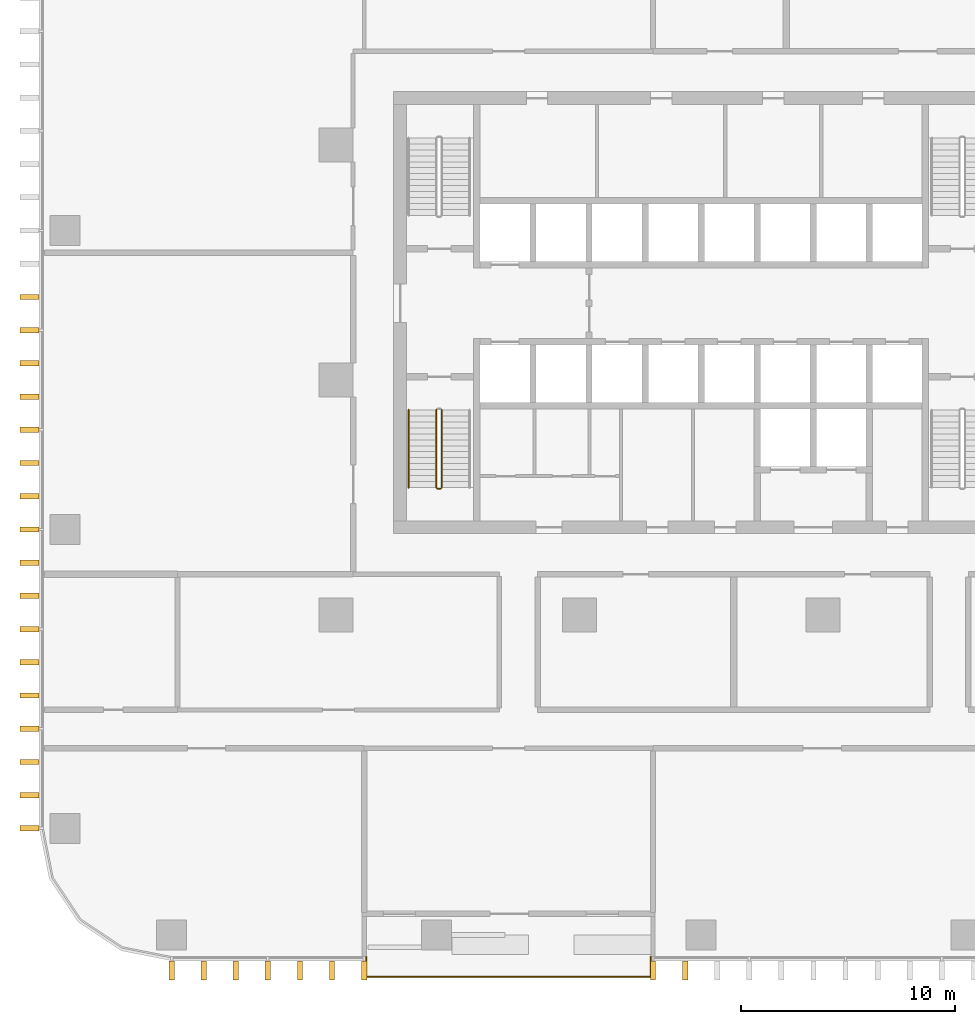
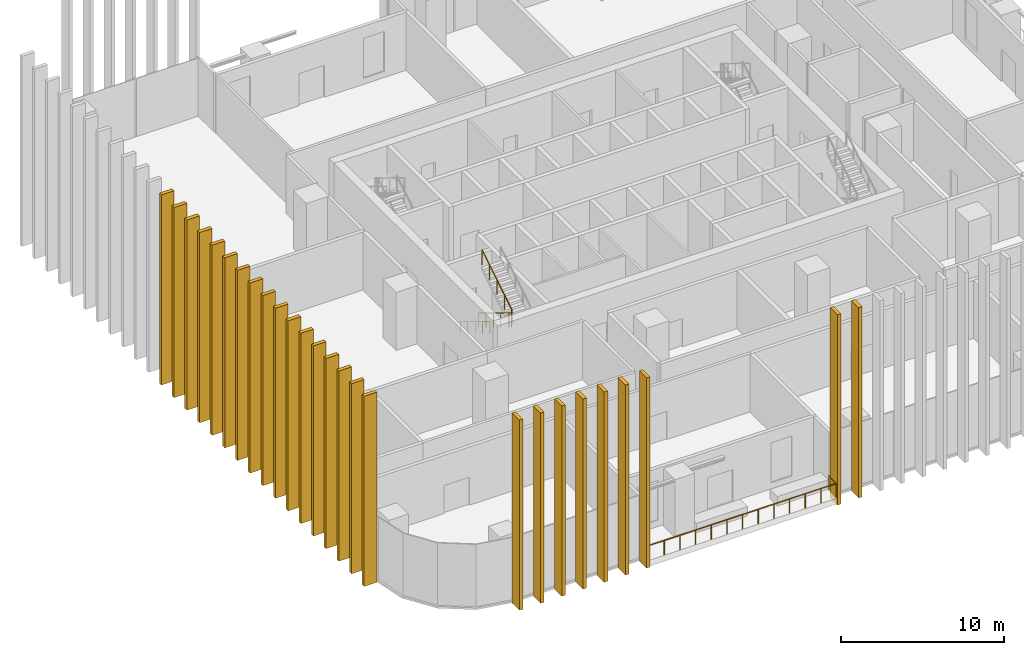
# One storey, part 12 of 17: 26 shading devices, 4 railings.
"""IFC4 building model written with IfcOpenShell, lengths in metres."""

import ifcopenshell
import ifcopenshell.guid

model = None  # the IFC model being written
_history = None  # IfcOwnerHistory: only IFC2X3 demands one
_inside = {}  # id of a spatial element -> (the spatial element, [elements in it])
_under = {}  # id of a project, library or spatial element -> (it, [spatial elements below it])
_declared = {}  # id of a project -> (the project, [libraries it declares])
_typed = {}  # id of a type object -> (the type object, [elements of that type])
_made_of = {}  # id of a material, layer set ... -> (it, [elements and type objects made of it])


def new_model(schema):
    """Start an empty IFC model of exactly this schema.

    Asked for "IFC4X3", IfcOpenShell would pick the latest addendum, in which some entities
    have other attributes; the version numbers below select the first issue.
    IFC2X3 requires an IfcOwnerHistory on every rooted entity: one is made here for all.
    """
    global model, _history
    if schema == "IFC4X3":
        model = ifcopenshell.file(schema_version=(4, 3, 0, 0))
    else:
        model = ifcopenshell.file(schema=schema)
    _inside.clear()
    _under.clear()
    _declared.clear()
    _typed.clear()
    _made_of.clear()
    _history = None
    if model.schema == "IFC2X3":
        org = make("IfcOrganization", Name="unknown")
        user = make(
            "IfcPersonAndOrganization",
            ThePerson=make("IfcPerson", FamilyName="unknown"),
            TheOrganization=org,
        )
        app = make(
            "IfcApplication",
            ApplicationDeveloper=org,
            Version="unknown",
            ApplicationFullName="unknown",
            ApplicationIdentifier="unknown",
        )
        _history = make(
            "IfcOwnerHistory",
            OwningUser=user,
            OwningApplication=app,
            ChangeAction="ADDED",
            CreationDate=0,
        )
    return model


def make(cls, **values):
    """One entity of the class cls with the attributes given. An attribute that is None is left unset."""
    return model.create_entity(
        cls, **{name: value for name, value in values.items() if value is not None}
    )


def rooted(cls, **values):
    """An entity with a GlobalId (a new one), such as an element, a storey or a relation."""
    return make(cls, GlobalId=ifcopenshell.guid.new(), OwnerHistory=_history, **values)


def si_unit(unit_type, name, prefix=None):
    """IfcSIUnit, for example si_unit("LENGTHUNIT", "METRE", prefix="MILLI")."""
    return make("IfcSIUnit", UnitType=unit_type, Prefix=prefix, Name=name)


def assignment(units):
    """IfcUnitAssignment: the units of a project."""
    return None if units is None else make("IfcUnitAssignment", Units=units)


def point(xyz):
    """IfcCartesianPoint."""
    return None if xyz is None else make("IfcCartesianPoint", Coordinates=xyz)


def direction(xyz):
    """IfcDirection."""
    return None if xyz is None else make("IfcDirection", DirectionRatios=xyz)


def frame(location, z_axis=None, x_axis=None):
    """IfcAxis2Placement3D, a coordinate frame: its origin and axes. An axis left out is left unset."""
    return make(
        "IfcAxis2Placement3D",
        Location=point(location),
        Axis=direction(z_axis),
        RefDirection=direction(x_axis),
    )


def frame_2d(location, x_axis=None):
    """IfcAxis2Placement2D, a coordinate frame in the plane: its origin and x axis."""
    return make(
        "IfcAxis2Placement2D", Location=point(location), RefDirection=direction(x_axis)
    )


def origin():
    """The frame at (0, 0, 0) with its axes left unset."""
    return frame((0.0, 0.0, 0.0))


def origin_2d():
    """The frame at (0, 0) in the plane with its x axis left unset."""
    return frame_2d((0.0, 0.0))


def place(relative_to, where):
    """IfcLocalPlacement: puts the frame where relative to a parent placement (None: the world)."""
    return make(
        "IfcLocalPlacement", PlacementRelTo=relative_to, RelativePlacement=where
    )


def context(
    kind, dimensions, precision=None, world=None, true_north=None, identifier=None
):
    """IfcGeometricRepresentationContext, for example the 3D "Model" context."""
    return make(
        "IfcGeometricRepresentationContext",
        ContextIdentifier=identifier,
        ContextType=kind,
        CoordinateSpaceDimension=dimensions,
        Precision=precision,
        WorldCoordinateSystem=world,
        TrueNorth=true_north,
    )


def subcontext(parent, identifier, kind, view, scale=None):
    """IfcGeometricRepresentationSubContext, for example "Body" below "Model"."""
    return make(
        "IfcGeometricRepresentationSubContext",
        ContextIdentifier=identifier,
        ContextType=kind,
        ParentContext=parent,
        TargetScale=scale,
        TargetView=view,
    )


def project(units=None, contexts=None):
    """IfcProject with its units and contexts."""
    return rooted(
        "IfcProject",
        Name="project",
        RepresentationContexts=contexts,
        UnitsInContext=assignment(units),
    )


def spatial(cls, under=None, at=None, **own):
    """A site, building, storey or space (cls), placed at a placement, below another one or the project."""
    s = rooted(cls, ObjectPlacement=at, **own)
    if under is not None:
        _under.setdefault(under.id(), (under, []))[1].append(s)
    return s


def profile(cls, at=None, kind="AREA", **sizes):
    """A parametric profile (cls). Its sizes go by their IFC names, for example OverallWidth=200.0."""
    return make(cls, ProfileType=kind, Position=at, **sizes)


def rectangle(**sizes):
    """IfcRectangleProfileDef."""
    return profile("IfcRectangleProfileDef", **sizes)


def circle(**sizes):
    """IfcCircleProfileDef."""
    return profile("IfcCircleProfileDef", **sizes)


def extrude(swept, where, along, depth):
    """IfcExtrudedAreaSolid: the profile swept, set in the frame where, extruded along a direction by depth."""
    return make(
        "IfcExtrudedAreaSolid",
        SweptArea=swept,
        Position=where,
        ExtrudedDirection=direction(along),
        Depth=depth,
    )


def shape(context_of_items, identifier, shape_type, items):
    """IfcShapeRepresentation: the items that make up one representation, for example the "Body"."""
    return make(
        "IfcShapeRepresentation",
        ContextOfItems=context_of_items,
        RepresentationIdentifier=identifier,
        RepresentationType=shape_type,
        Items=items,
    )


def material(Name=None, Category=None):
    """IfcMaterial."""
    return make("IfcMaterial", Name=Name, Category=Category)


def made_of(thing, what):
    """Note that an element or type object is made of a material, layer set ...; save() writes the relation."""
    if what is not None:
        _made_of.setdefault(what.id(), (what, []))[1].append(thing)
    return thing


def type_object(cls, material=None, **own):
    """A type object (cls), such as IfcWallType, which elements share."""
    return made_of(rooted(cls, **own), material)


def element(
    cls,
    number,
    at=None,
    inside=None,
    cuts=None,
    type_object=None,
    material=None,
    context=None,
    identifier="Body",
    shape_type=None,
    held_by="IfcProductDefinitionShape",
    body=None,
    shapes=None,
    **own,
):
    """One element of the class cls, such as IfcWall. Its Tag is "e" and its number.

    at: its placement. inside: the storey or other place that contains it. cuts: it is an
    opening in that element (IfcRelVoidsElement). A single representation is given by context,
    identifier, shape_type and body (its items); several are given by shapes. held_by: the class
    of the entity that holds the representations. save() writes the other relations.
    """
    e = rooted(cls, Tag="e%d" % number, ObjectPlacement=at, **own)
    if body is not None:
        shapes = [shape(context, identifier, shape_type, body)]
    if shapes is not None:
        e.Representation = make(held_by, Representations=shapes)
    if inside is not None:
        _inside.setdefault(inside.id(), (inside, []))[1].append(e)
    if cuts is not None:
        rooted(
            "IfcRelVoidsElement", RelatingBuildingElement=cuts, RelatedOpeningElement=e
        )
    if type_object is not None:
        _typed.setdefault(type_object.id(), (type_object, []))[1].append(e)
    return made_of(e, material)


def aggregate(whole, parts):
    """IfcRelAggregates: a whole, such as a stair, and the parts it consists of."""
    return rooted("IfcRelAggregates", RelatingObject=whole, RelatedObjects=parts)


def save(model, path):
    """Write the relations noted so far, then the file.

    IfcRelAggregates (storeys below a building ...), IfcRelContainedInSpatialStructure (elements
    in a storey), IfcRelDefinesByType, IfcRelAssociatesMaterial and IfcRelDeclares: one each for
    every whole, place, type object, material and project.
    """
    for whole, parts in _under.values():
        aggregate(whole, parts)
    for where, things in _inside.values():
        rooted(
            "IfcRelContainedInSpatialStructure",
            RelatedElements=things,
            RelatingStructure=where,
        )
    for kind, things in _typed.values():
        rooted("IfcRelDefinesByType", RelatedObjects=things, RelatingType=kind)
    for what, things in _made_of.values():
        rooted("IfcRelAssociatesMaterial", RelatedObjects=things, RelatingMaterial=what)
    for by, libraries in _declared.values():
        rooted("IfcRelDeclares", RelatingContext=by, RelatedDefinitions=libraries)
    model.write(path)


model = new_model("IFC4")

# Units and contexts
model_context = context("Model", 3, precision=1e-05, world=origin(), true_north=direction((0.0, 1.0)))
body_context = subcontext(model_context, "Body", "Model", "MODEL_VIEW")
ifc_project = project(units=[si_unit("LENGTHUNIT", "METRE"), si_unit("AREAUNIT", "SQUARE_METRE"), si_unit("VOLUMEUNIT", "CUBIC_METRE"), si_unit("PLANEANGLEUNIT", "RADIAN"), si_unit("MASSUNIT", "GRAM", prefix="KILO")], contexts=[model_context])

# Site, building, storey
site_placement = place(None, origin())
site = spatial("IfcSite", under=ifc_project, at=site_placement, CompositionType="ELEMENT")
building_placement = place(site_placement, origin())
building = spatial("IfcBuilding", under=site, at=building_placement, Name="Mopane Tessera Tower", CompositionType="ELEMENT")
storey_placement = place(building_placement, frame((0.0, 0.0, 74.199951171875)))
storey = spatial("IfcBuildingStorey", under=building, at=storey_placement, Name="L14", CompositionType="ELEMENT", Elevation=74.199951171875)

# Shading devices
ifc_material_1 = material(Name="Glazed ceramic tile")
shading_device_type = type_object("IfcShadingDeviceType", Name="Ceramic tile fin 900 x 250 mm", PredefinedType="USERDEFINED", material=ifc_material_1)
for number, where, z_axis, x_axis, name in (
    (1, (-24.800048828125, -27.64990234375, -0.449951171875), (0.0, 0.0, 1.0), (1.0, 0.0, 0.0), "e:fin:L14:S:0:0"),
    (2, (-23.296875, -27.64990234375, -0.449951171875), (0.0, 0.0, 1.0), (1.0, 0.0, 0.0), "e:fin:L14:S:0:1"),
    (3, (-21.7939453125, -27.64990234375, -0.449951171875), (0.0, 0.0, 1.0), (1.0, 0.0, 0.0), "e:fin:L14:S:0:2"),
    (4, (-20.291015625, -27.64990234375, -0.449951171875), (0.0, 0.0, 1.0), (1.0, 0.0, 0.0), "e:fin:L14:S:1:0"),
    (5, (-18.787841796875, -27.64990234375, -0.449951171875), (0.0, 0.0, 1.0), (1.0, 0.0, 0.0), "e:fin:L14:S:1:1"),
    (6, (-17.284912109375, -27.64990234375, -0.449951171875), (0.0, 0.0, 1.0), (1.0, 0.0, 0.0), "e:fin:L14:S:1:2"),
    (7, (-15.78173828125, -27.64990234375, -0.449951171875), (0.0, 0.0, 1.0), (1.0, 0.0, 0.0), "e:fin:L14:S:1:3"),
    (8, (-2.254638671875, -27.64990234375, -0.449951171875), (0.0, 0.0, 1.0), (1.0, 0.0, 0.0), "e:fin:L14:S:5:0"),
    (9, (-0.75146484375, -27.64990234375, -0.449951171875), (0.0, 0.0, 1.0), (1.0, 0.0, 0.0), "e:fin:L14:S:5:1"),
    (10, (-31.449951171875, 3.888916015625, -0.449951171875), (0.0, 0.0, 1.0), (0.0, -1.0, 0.0), "e:fin:L14:W:3:2"),
    (11, (-31.449951171875, 2.333251953125, -0.449951171875), (0.0, 0.0, 1.0), (0.0, -1.0, 0.0), "e:fin:L14:W:4:0"),
    (12, (-31.449951171875, 0.77783203125, -0.449951171875), (0.0, 0.0, 1.0), (0.0, -1.0, 0.0), "e:fin:L14:W:4:1"),
    (13, (-31.449951171875, -0.77783203125, -0.449951171875), (0.0, 0.0, 1.0), (0.0, -1.0, 0.0), "e:fin:L14:W:4:2"),
    (14, (-31.449951171875, -2.333251953125, -0.449951171875), (0.0, 0.0, 1.0), (0.0, -1.0, 0.0), "e:fin:L14:W:5:0"),
    (15, (-31.449951171875, -3.888916015625, -0.449951171875), (0.0, 0.0, 1.0), (0.0, -1.0, 0.0), "e:fin:L14:W:5:1"),
    (16, (-31.449951171875, -5.4443359375, -0.449951171875), (0.0, 0.0, 1.0), (0.0, -1.0, 0.0), "e:fin:L14:W:5:2"),
    (17, (-31.449951171875, -7.0, -0.449951171875), (0.0, 0.0, 1.0), (0.0, -1.0, 0.0), "e:fin:L14:W:6:0"),
    (18, (-31.449951171875, -8.5556640625, -0.449951171875), (0.0, 0.0, 1.0), (0.0, -1.0, 0.0), "e:fin:L14:W:6:1"),
    (19, (-31.449951171875, -10.111083984375, -0.449951171875), (0.0, 0.0, 1.0), (0.0, -1.0, 0.0), "e:fin:L14:W:6:2"),
    (20, (-31.449951171875, -11.666748046875, -0.449951171875), (0.0, 0.0, 1.0), (0.0, -1.0, 0.0), "e:fin:L14:W:7:0"),
    (21, (-31.449951171875, -13.22216796875, -0.449951171875), (0.0, 0.0, 1.0), (0.0, -1.0, 0.0), "e:fin:L14:W:7:1"),
    (22, (-31.449951171875, -14.77783203125, -0.449951171875), (0.0, 0.0, 1.0), (0.0, -1.0, 0.0), "e:fin:L14:W:7:2"),
    (23, (-31.449951171875, -16.333251953125, -0.449951171875), (0.0, 0.0, 1.0), (0.0, -1.0, 0.0), "e:fin:L14:W:8:0"),
    (24, (-31.449951171875, -17.888916015625, -0.449951171875), (0.0, 0.0, 1.0), (0.0, -1.0, 0.0), "e:fin:L14:W:8:1"),
    (25, (-31.449951171875, -19.4443359375, -0.449951171875), (0.0, 0.0, 1.0), (0.0, -1.0, 0.0), "e:fin:L14:W:8:2"),
    (26, (-31.449951171875, -21.0, -0.449951171875), (0.0, 0.0, 1.0), (0.0, -1.0, 0.0), "e:fin:L14:W:8:3"),
):
    element("IfcShadingDevice", number, at=place(storey_placement, frame(where, z_axis=z_axis, x_axis=x_axis)), inside=storey, type_object=shading_device_type, Name=name, ObjectType="FIN", PredefinedType="USERDEFINED", context=body_context, shape_type="SweptSolid", body=[
        extrude(rectangle(XDim=0.25, YDim=0.89990234375, at=origin_2d()), origin(), (0.0, 0.0, 1.0), 14.25),
    ])

# Railings
ifc_material_2 = material(Name="Powder-coated steel balustrade", Category="steel")
railing_type_1 = type_object("IfcRailingType", Name="Escape stair guard 1100 mm", PredefinedType="GUARDRAIL", material=ifc_material_2)
railing_1_placement = place(storey_placement, frame((-12.39990234375, -1.39990234375, 0.17138671875)))
element("IfcRailing", 27, at=railing_1_placement, inside=storey, type_object=railing_type_1, Name="L14 ST1 stair guard 1", PredefinedType="GUARDRAIL", context=body_context, shape_type="SweptSolid", body=[
    extrude(circle(Radius=0.02392578125, at=origin_2d()), frame((0.0, 0.0, 1.076171875), z_axis=(0.0, -0.852840387347, 0.522171689878), x_axis=(1.0, 0.0, 0.0)), (0.0, 0.0, 1.0), 4.268310546875),
    extrude(circle(Radius=0.02392578125, at=origin_2d()), frame((0.0, -3.64013671875, 3.3046875), z_axis=(0.705375805398, -0.708833529934, 0.0), x_axis=(0.708833529934, 0.705375805398, 0.0)), (0.0, 0.0, 1.0), 0.070556640625),
    extrude(circle(Radius=0.02392578125, at=origin_2d()), frame((0.0498046875, -3.690185546875, 3.3046875), z_axis=(1.0, 0.0, 0.0), x_axis=(0.0, 1.0, 0.0)), (0.0, 0.0, 1.0), 0.150146484375),
    extrude(circle(Radius=0.02099609375, at=origin_2d()), origin(), (0.0, 0.0, 1.0), 1.052001953125),
    extrude(circle(Radius=0.02099609375, at=origin_2d()), frame((0.0, -0.91015625, 0.55712890625)), (0.0, 0.0, 1.0), 1.052001953125),
    extrude(circle(Radius=0.02099609375, at=origin_2d()), frame((0.0, -1.820068359375, 1.1142578125)), (0.0, 0.0, 1.0), 1.052001953125),
    extrude(circle(Radius=0.02099609375, at=origin_2d()), frame((0.0, -2.72998046875, 1.671630859375)), (0.0, 0.0, 1.0), 1.052001953125),
    extrude(circle(Radius=0.02099609375, at=origin_2d()), frame((0.0, -3.64013671875, 2.228759765625)), (0.0, 0.0, 1.0), 1.052001953125),
    extrude(circle(Radius=0.02099609375, at=origin_2d()), frame((0.0498046875, -3.690185546875, 2.228759765625)), (0.0, 0.0, 1.0), 1.052001953125),
    extrude(circle(Radius=0.02099609375, at=origin_2d()), frame((0.199951171875, -3.690185546875, 2.228759765625)), (0.0, 0.0, 1.0), 1.052001953125),
])
railing_2_placement = place(storey_placement, frame((-12.14990234375, -5.0400390625, 2.571533203125)))
element("IfcRailing", 28, at=railing_2_placement, inside=storey, type_object=railing_type_1, Name="L14 ST1 stair guard 2", PredefinedType="GUARDRAIL", context=body_context, shape_type="SweptSolid", body=[
    extrude(circle(Radius=0.02392578125, at=origin_2d()), frame((0.0, 0.0, 1.076171875), z_axis=(0.0, 0.852865859571, 0.52213008492), x_axis=(-1.0, 0.0, 0.0)), (0.0, 0.0, 1.0), 4.26806640625),
    extrude(circle(Radius=0.02099609375, at=origin_2d()), origin(), (0.0, 0.0, 1.0), 1.052001953125),
    extrude(circle(Radius=0.02099609375, at=origin_2d()), frame((0.0, 0.91015625, 0.55712890625)), (0.0, 0.0, 1.0), 1.052001953125),
    extrude(circle(Radius=0.02099609375, at=origin_2d()), frame((0.0, 1.820068359375, 1.1142578125)), (0.0, 0.0, 1.0), 1.052001953125),
    extrude(circle(Radius=0.02099609375, at=origin_2d()), frame((0.0, 2.72998046875, 1.67138671875)), (0.0, 0.0, 1.0), 1.052001953125),
    extrude(circle(Radius=0.02099609375, at=origin_2d()), frame((0.0, 3.64013671875, 2.228515625)), (0.0, 0.0, 1.0), 1.052001953125),
])
ifc_material_3 = material(Name="Powder-coated steel balustrade", Category="steel")
railing_type_2 = type_object("IfcRailingType", Name="Escape stair handrail 900 mm", PredefinedType="HANDRAIL", material=ifc_material_3)
railing_3_placement = place(storey_placement, frame((-13.699951171875, -1.39990234375, 0.17138671875)))
element("IfcRailing", 29, at=railing_3_placement, inside=storey, type_object=railing_type_2, Name="L14 ST1 stair handrail 1", PredefinedType="HANDRAIL", context=body_context, shape_type="SweptSolid", body=[
    extrude(circle(Radius=0.02392578125, at=origin_2d()), frame((0.0, 0.0, 0.8759765625), z_axis=(0.0, -0.852840387347, 0.522171689878), x_axis=(1.0, 0.0, 0.0)), (0.0, 0.0, 1.0), 4.268310546875),
    extrude(circle(Radius=0.02099609375, at=origin_2d()), origin(), (0.0, 0.0, 1.0), 0.851806640625),
    extrude(circle(Radius=0.02099609375, at=origin_2d()), frame((0.0, -0.91015625, 0.55712890625)), (0.0, 0.0, 1.0), 0.851806640625),
    extrude(circle(Radius=0.02099609375, at=origin_2d()), frame((0.0, -1.820068359375, 1.1142578125)), (0.0, 0.0, 1.0), 0.851806640625),
    extrude(circle(Radius=0.02099609375, at=origin_2d()), frame((0.0, -2.72998046875, 1.671630859375)), (0.0, 0.0, 1.0), 0.851806640625),
    extrude(circle(Radius=0.02099609375, at=origin_2d()), frame((0.0, -3.64013671875, 2.228759765625)), (0.0, 0.0, 1.0), 0.851806640625),
])
ifc_material_4 = material(Name="Stainless steel S316", Category="steel")
railing_type_3 = type_object("IfcRailingType", Name="Terrace guard 1100", PredefinedType="GUARDRAIL", material=ifc_material_4)
railing_4_placement = place(storey_placement, frame((-15.681884765625, -27.0, 0.0)))
element("IfcRailing", 30, at=railing_4_placement, inside=storey, type_object=railing_type_3, Name="e:nw:L14:N3:guard", PredefinedType="GUARDRAIL", context=body_context, shape_type="SweptSolid", body=[
    extrude(circle(Radius=0.02392578125, at=origin_2d()), frame((0.0, 0.0, 1.076171875), z_axis=(0.0, -1.0, 0.0), x_axis=(1.0, 0.0, 0.0)), (0.0, 0.0, 1.0), 0.949951171875),
    extrude(circle(Radius=0.02392578125, at=origin_2d()), frame((0.0, -0.949951171875, 1.076171875), z_axis=(1.0, 0.0, 0.0), x_axis=(0.0, 1.0, 0.0)), (0.0, 0.0, 1.0), 13.327392578125),
    extrude(circle(Radius=0.02392578125, at=origin_2d()), frame((13.327392578125, -0.949951171875, 1.076171875), z_axis=(0.0, 1.0, 0.0), x_axis=(-1.0, 0.0, 0.0)), (0.0, 0.0, 1.0), 0.949951171875),
    extrude(circle(Radius=0.02099609375, at=origin_2d()), origin(), (0.0, 0.0, 1.0), 1.052001953125),
    extrude(circle(Radius=0.02099609375, at=origin_2d()), frame((0.0, -0.949951171875, 0.0)), (0.0, 0.0, 1.0), 1.052001953125),
    extrude(circle(Radius=0.02099609375, at=origin_2d()), frame((1.110595703125, -0.949951171875, 0.0)), (0.0, 0.0, 1.0), 1.052001953125),
    extrude(circle(Radius=0.02099609375, at=origin_2d()), frame((2.22119140625, -0.949951171875, 0.0)), (0.0, 0.0, 1.0), 1.052001953125),
    extrude(circle(Radius=0.02099609375, at=origin_2d()), frame((3.331787109375, -0.949951171875, 0.0)), (0.0, 0.0, 1.0), 1.052001953125),
    extrude(circle(Radius=0.02099609375, at=origin_2d()), frame((4.4423828125, -0.949951171875, 0.0)), (0.0, 0.0, 1.0), 1.052001953125),
    extrude(circle(Radius=0.02099609375, at=origin_2d()), frame((5.552978515625, -0.949951171875, 0.0)), (0.0, 0.0, 1.0), 1.052001953125),
    extrude(circle(Radius=0.02099609375, at=origin_2d()), frame((6.66357421875, -0.949951171875, 0.0)), (0.0, 0.0, 1.0), 1.052001953125),
    extrude(circle(Radius=0.02099609375, at=origin_2d()), frame((7.7744140625, -0.949951171875, 0.0)), (0.0, 0.0, 1.0), 1.052001953125),
    extrude(circle(Radius=0.02099609375, at=origin_2d()), frame((8.885009765625, -0.949951171875, 0.0)), (0.0, 0.0, 1.0), 1.052001953125),
    extrude(circle(Radius=0.02099609375, at=origin_2d()), frame((9.99560546875, -0.949951171875, 0.0)), (0.0, 0.0, 1.0), 1.052001953125),
    extrude(circle(Radius=0.02099609375, at=origin_2d()), frame((11.106201171875, -0.949951171875, 0.0)), (0.0, 0.0, 1.0), 1.052001953125),
    extrude(circle(Radius=0.02099609375, at=origin_2d()), frame((12.216796875, -0.949951171875, 0.0)), (0.0, 0.0, 1.0), 1.052001953125),
    extrude(circle(Radius=0.02099609375, at=origin_2d()), frame((13.327392578125, -0.949951171875, 0.0)), (0.0, 0.0, 1.0), 1.052001953125),
    extrude(circle(Radius=0.02099609375, at=origin_2d()), frame((13.327392578125, 0.0, 0.0)), (0.0, 0.0, 1.0), 1.052001953125),
])

save(model, "model.ifc")
